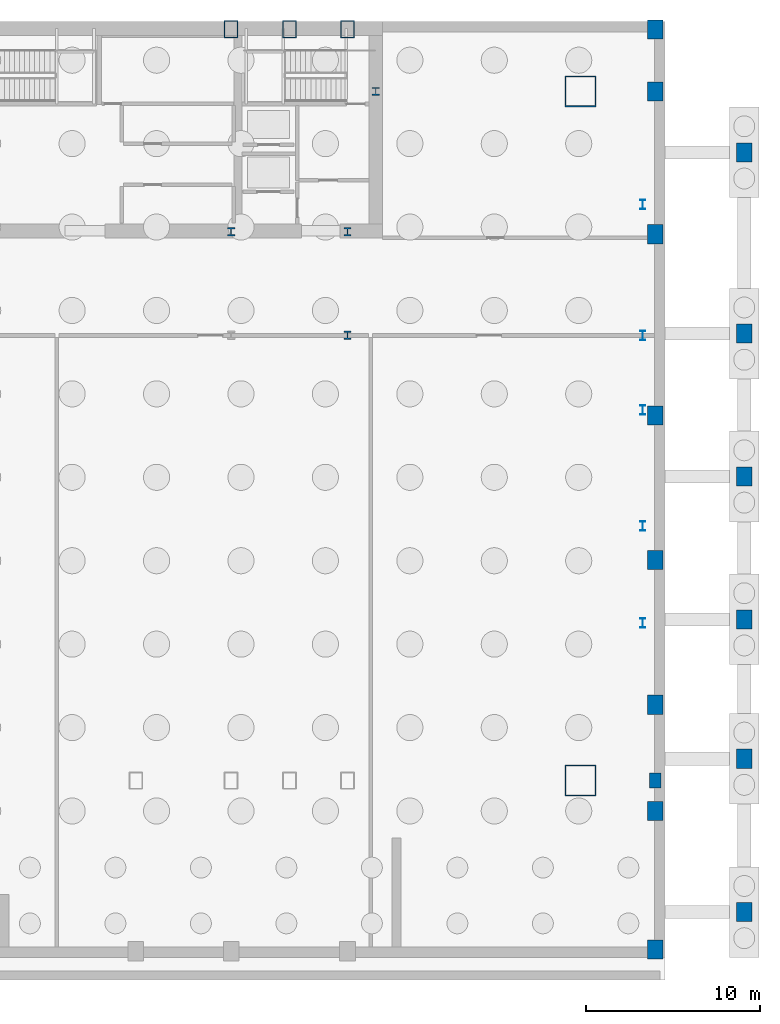
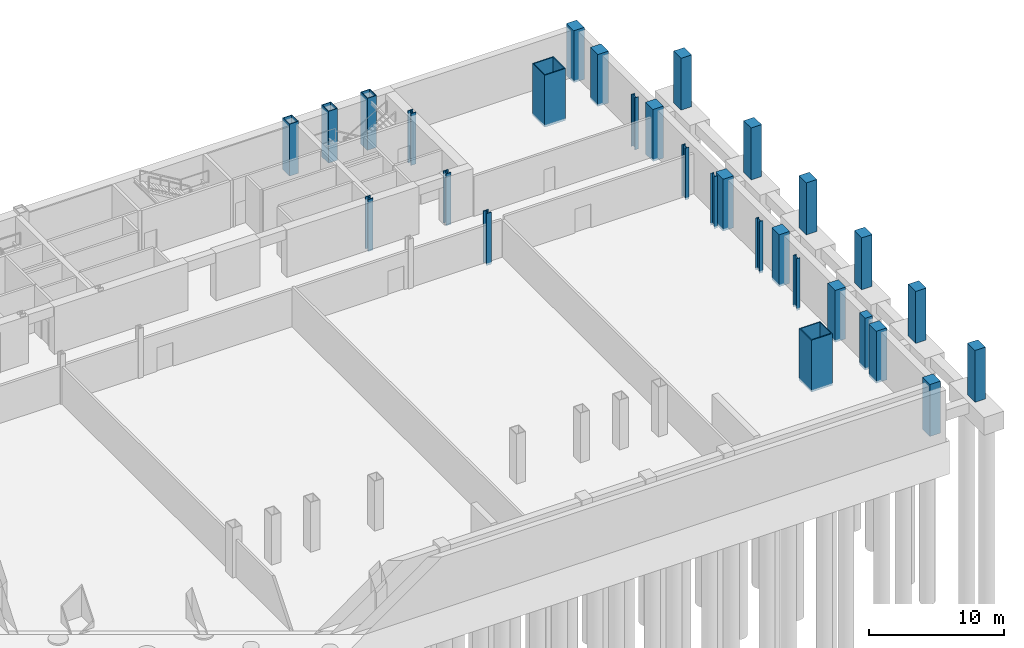
# One storey, part 6 of 11: 29 columns.
"""IFC4 building model written with IfcOpenShell, lengths in metres."""

from ifc_helpers import new_model, si_unit, direction, frame, origin, origin_2d, place, context, subcontext, project, spatial, rectangle, hollow_rectangle, i_section, extrude, material, material_profile, profile_set, type_object, element, save


model = new_model("IFC4")

# Units and contexts
model_context = context("Model", 3, precision=1e-05, world=origin(), true_north=direction((0.0, 1.0)))
body_context = subcontext(model_context, "Body", "Model", "MODEL_VIEW")
ifc_project = project(units=[si_unit("LENGTHUNIT", "METRE"), si_unit("AREAUNIT", "SQUARE_METRE"), si_unit("VOLUMEUNIT", "CUBIC_METRE"), si_unit("PLANEANGLEUNIT", "RADIAN"), si_unit("MASSUNIT", "GRAM", prefix="KILO")], contexts=[model_context])

# Site, building, storey
site_placement = place(None, origin())
site = spatial("IfcSite", under=ifc_project, at=site_placement, CompositionType="ELEMENT")
building_placement = place(site_placement, origin())
building = spatial("IfcBuilding", under=site, at=building_placement, Name="Khoronbel Lancet Exchange", CompositionType="ELEMENT")
storey_placement = place(building_placement, frame((0.0, 0.0, -9.0)))
storey = spatial("IfcBuildingStorey", under=building, at=storey_placement, Name="B2", CompositionType="ELEMENT", Elevation=-9.0)

# Columns
ifc_material_1 = material(Name="Steel S460", Category="steel")
ifc_material_profile_1 = material_profile(ifc_material_1, hollow_rectangle(XDim=0.800048828125, YDim=1.0, WallThickness=0.054931640625, at=origin_2d()), Name="BOX 1000x800x55")
ifc_profile_set_1 = profile_set([ifc_material_profile_1], Name="Steel S460")
column_type_1 = type_object("IfcColumnType", Name="COL-EC1", PredefinedType="COLUMN", material=ifc_profile_set_1)
for number, where, z_axis, x_axis, name in (
    (1, (48.0, 53.280029296875, -0.199951171875), (0.0, 0.0, 1.0), (1.0, 0.0, 0.0), "Structural column NC-E1 B2"),
    (2, (51.33740234375, 53.280029296875, -0.199951171875), (0.0, 0.0, 1.0), (1.0, 0.0, 0.0), "Structural column NC-EM B2"),
    (3, (54.675048828125, 53.280029296875, -0.199951171875), (0.0, 0.0, 1.0), (1.0, 0.0, 0.0), "Structural column NC-E2 B2"),
):
    element("IfcColumn", number, at=place(storey_placement, frame(where, z_axis=z_axis, x_axis=x_axis)), inside=storey, type_object=column_type_1, Name=name, PredefinedType="COLUMN", context=body_context, shape_type="SweptSolid", body=[
        extrude(hollow_rectangle(XDim=0.800048828125, YDim=1.0, WallThickness=0.054931640625, at=origin_2d()), origin(), (0.0, 0.0, 1.0), 4.699951171875),
    ])
ifc_material_profile_2 = material_profile(ifc_material_1, i_section(OverallWidth=0.424072265625, OverallDepth=0.47412109375, WebThickness=0.047607421875, FlangeThickness=0.076904296875, at=origin_2d()), Name="HD 400x634")
ifc_profile_set_2 = profile_set([ifc_material_profile_2], Name="Steel S460")
column_type_2 = type_object("IfcColumnType", Name="COL-IC1", PredefinedType="COLUMN", material=ifc_profile_set_2)
for number, where, z_axis, x_axis, name in (
    (4, (56.300048828125, 49.699951171875, -0.199951171875), (0.0, 0.0, 1.0), (1.0, 0.0, 0.0), "Core-flank plumb transfer column CFE B2"),
    (5, (48.0, 41.64990234375, -0.199951171875), (0.0, 0.0, 1.0), (1.0, 0.0, 0.0), "Core-embedded steel column CTC3 B2"),
    (6, (54.675048828125, 35.699951171875, -0.199951171875), (0.0, 0.0, 1.0), (1.0, 0.0, 0.0), "Spine gravity column TC4 B2"),
    (7, (54.675048828125, 41.64990234375, -0.199951171875), (0.0, 0.0, 1.0), (1.0, 0.0, 0.0), "Core-embedded steel column CTC4 B2"),
):
    element("IfcColumn", number, at=place(storey_placement, frame(where, z_axis=z_axis, x_axis=x_axis)), inside=storey, type_object=column_type_2, Name=name, PredefinedType="COLUMN", context=body_context, shape_type="SweptSolid", body=[
        extrude(i_section(OverallWidth=0.424072265625, OverallDepth=0.47412109375, WebThickness=0.047607421875, FlangeThickness=0.076904296875, at=origin_2d()), origin(), (0.0, 0.0, 1.0), 4.699951171875),
    ])
ifc_material_2 = material(Name="Steel S355", Category="steel")
ifc_material_profile_3 = material_profile(ifc_material_2, i_section(OverallWidth=0.300048828125, OverallDepth=0.550048828125, WebThickness=0.014892578125, FlangeThickness=0.029052734375, at=origin_2d()), Name="HEB 550")
ifc_profile_set_3 = profile_set([ifc_material_profile_3], Name="Steel S355")
column_type_3 = type_object("IfcColumnType", Name="COL-LC1", PredefinedType="COLUMN", material=ifc_profile_set_3)
for number, where, z_axis, x_axis, name in (
    (8, (71.6298828125, 19.199951171875, -0.199951171875), (0.0, 0.0, 1.0), (1.0, 0.0, 0.0), "Structural column EC-1 B2"),
    (9, (71.6298828125, 24.75, -0.199951171875), (0.0, 0.0, 1.0), (1.0, 0.0, 0.0), "Structural column EC-2 B2"),
    (10, (71.6298828125, 31.425048828125, -0.199951171875), (0.0, 0.0, 1.0), (1.0, 0.0, 0.0), "Structural column EC-M B2"),
    (11, (71.6298828125, 35.699951171875, -0.199951171875), (0.0, 0.0, 1.0), (1.0, 0.0, 0.0), "Structural column EC-3 B2"),
    (12, (71.6298828125, 43.199951171875, -0.199951171875), (0.0, 0.0, 1.0), (1.0, 0.0, 0.0), "Structural column EC-4 B2"),
):
    element("IfcColumn", number, at=place(storey_placement, frame(where, z_axis=z_axis, x_axis=x_axis)), inside=storey, type_object=column_type_3, Name=name, PredefinedType="COLUMN", context=body_context, shape_type="SweptSolid", body=[
        extrude(i_section(OverallWidth=0.300048828125, OverallDepth=0.550048828125, WebThickness=0.014892578125, FlangeThickness=0.029052734375, at=origin_2d()), origin(), (0.0, 0.0, 1.0), 4.699951171875),
    ])
ifc_material_profile_4 = material_profile(ifc_material_1, hollow_rectangle(XDim=1.800048828125, YDim=1.800048828125, WallThickness=0.080078125, at=origin_2d()), Name="BOX 1800x1800x80")
ifc_profile_set_4 = profile_set([ifc_material_profile_4], Name="Steel S460")
column_type_4 = type_object("IfcColumnType", Name="COL-MC1", PredefinedType="COLUMN", material=ifc_profile_set_4)
for number, where, z_axis, x_axis, name in (
    (13, (68.050048828125, 10.14990234375, -0.199951171875), (0.0, 0.0, 1.0), (1.0, 0.0, 0.0), "Structural column MC-SE B2"),
    (14, (68.050048828125, 49.699951171875, -0.199951171875), (0.0, 0.0, 1.0), (1.0, 0.0, 0.0), "Structural column MC-NE B2"),
):
    element("IfcColumn", number, at=place(storey_placement, frame(where, z_axis=z_axis, x_axis=x_axis)), inside=storey, type_object=column_type_4, Name=name, PredefinedType="COLUMN", context=body_context, shape_type="SweptSolid", body=[
        extrude(hollow_rectangle(XDim=1.800048828125, YDim=1.800048828125, WallThickness=0.080078125, at=origin_2d()), origin(), (0.0, 0.0, 1.0), 4.699951171875),
    ])
ifc_material_3 = material(Name="Concrete C60/75", Category="concrete")
ifc_material_profile_5 = material_profile(ifc_material_3, rectangle(XDim=0.89990234375, YDim=1.10009765625, at=origin_2d()), Name="RC 900x1100")
ifc_profile_set_5 = profile_set([ifc_material_profile_5], Name="Concrete C60/75")
column_type_5 = type_object("IfcColumnType", Name="COL-PIL1", PredefinedType="PILASTER", material=ifc_profile_set_5)
for number, where, z_axis, x_axis, name in (
    (15, (72.35009765625, 8.39990234375, -0.199951171875), (0.0, 0.0, 1.0), (1.0, 0.0, 0.0), "Podium Gothic colonnade pilaster SEP B2"),
    (16, (72.35009765625, 49.699951171875, -0.199951171875), (0.0, 0.0, 1.0), (1.0, 0.0, 0.0), "Podium Gothic colonnade pilaster NEMC B2"),
    (17, (72.35009765625, 53.25, -0.199951171875), (0.0, 0.0, 1.0), (1.0, 0.0, 0.0), "Podium Gothic colonnade pilaster NEP B2"),
    (18, (72.35009765625, 14.5, -0.199951171875), (0.0, 0.0, 1.0), (1.0, 0.0, 0.0), "Podium Gothic colonnade pilaster E1 B2"),
    (19, (72.35009765625, 22.800048828125, -0.199951171875), (0.0, 0.0, 1.0), (1.0, 0.0, 0.0), "Podium Gothic colonnade pilaster E2 B2"),
    (20, (72.35009765625, 31.10009765625, -0.199951171875), (0.0, 0.0, 1.0), (1.0, 0.0, 0.0), "Podium Gothic colonnade pilaster E3 B2"),
    (21, (72.35009765625, 41.5, -0.199951171875), (0.0, 0.0, 1.0), (1.0, 0.0, 0.0), "Podium Gothic colonnade pilaster E4 B2"),
    (22, (72.35009765625, 0.449951171875, -0.199951171875), (0.0, 0.0, 1.0), (1.0, 0.0, 0.0), "Podium Gothic colonnade pilaster S0E B2"),
    (23, (77.449951171875, 2.60009765625, -0.199951171875), (0.0, 0.0, 1.0), (1.0, 0.0, 0.0), "Substructure apron pier APR1 B2"),
    (24, (77.449951171875, 11.39990234375, -0.199951171875), (0.0, 0.0, 1.0), (1.0, 0.0, 0.0), "Substructure apron pier APR2 B2"),
    (25, (77.449951171875, 19.39990234375, -0.199951171875), (0.0, 0.0, 1.0), (1.0, 0.0, 0.0), "Substructure apron pier APR3 B2"),
    (26, (77.449951171875, 27.60009765625, -0.199951171875), (0.0, 0.0, 1.0), (1.0, 0.0, 0.0), "Substructure apron pier APR4 B2"),
    (27, (77.449951171875, 35.800048828125, -0.199951171875), (0.0, 0.0, 1.0), (1.0, 0.0, 0.0), "Substructure apron pier APR5 B2"),
    (28, (77.449951171875, 46.199951171875, -0.199951171875), (0.0, 0.0, 1.0), (1.0, 0.0, 0.0), "Substructure apron pier APR6 B2"),
):
    element("IfcColumn", number, at=place(storey_placement, frame(where, z_axis=z_axis, x_axis=x_axis)), inside=storey, type_object=column_type_5, Name=name, PredefinedType="PILASTER", context=body_context, shape_type="SweptSolid", body=[
        extrude(rectangle(XDim=0.89990234375, YDim=1.10009765625, at=origin_2d()), origin(), (0.0, 0.0, 1.0), 4.699951171875),
    ])
ifc_material_profile_6 = material_profile(ifc_material_3, rectangle(XDim=0.64990234375, YDim=0.85009765625, at=origin_2d()), Name="RC 650x850")
ifc_profile_set_6 = profile_set([ifc_material_profile_6], Name="Concrete C60/75")
column_type_6 = type_object("IfcColumnType", Name="COL-PIL3", PredefinedType="PILASTER", material=ifc_profile_set_6)
column_placement = place(storey_placement, frame((72.35009765625, 10.14990234375, -0.199951171875), z_axis=(0.0, 0.0, 1.0), x_axis=(1.0, 0.0, 0.0)))
element("IfcColumn", 29, at=column_placement, inside=storey, type_object=column_type_6, Name="Podium Gothic colonnade pilaster EMC B2", PredefinedType="PILASTER", context=body_context, shape_type="SweptSolid", body=[
    extrude(rectangle(XDim=0.64990234375, YDim=0.85009765625, at=origin_2d()), origin(), (0.0, 0.0, 1.0), 4.699951171875),
])

save(model, "model.ifc")
